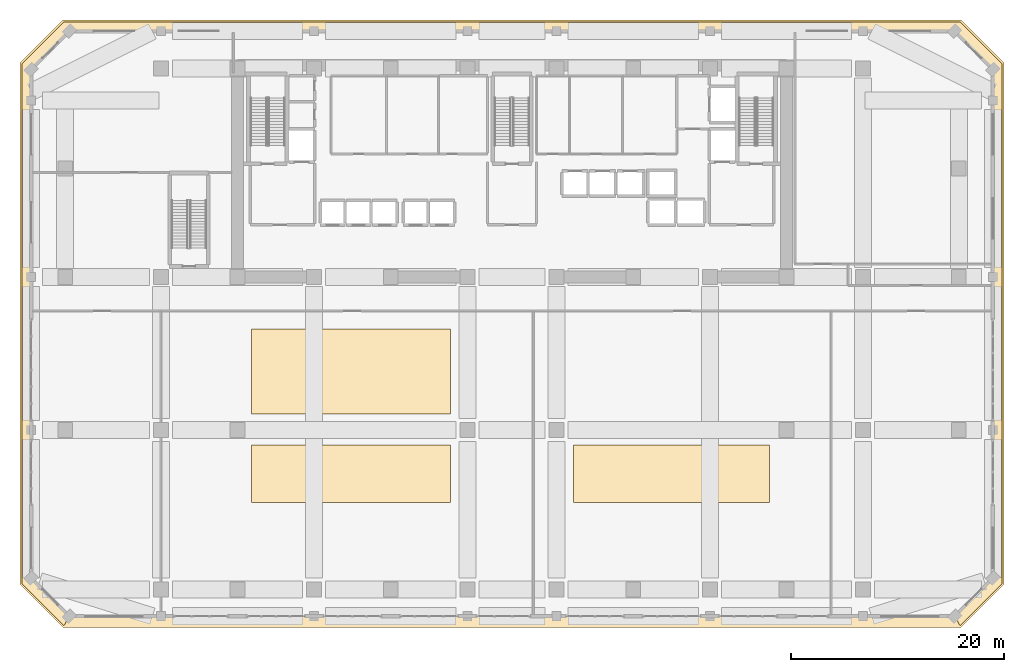
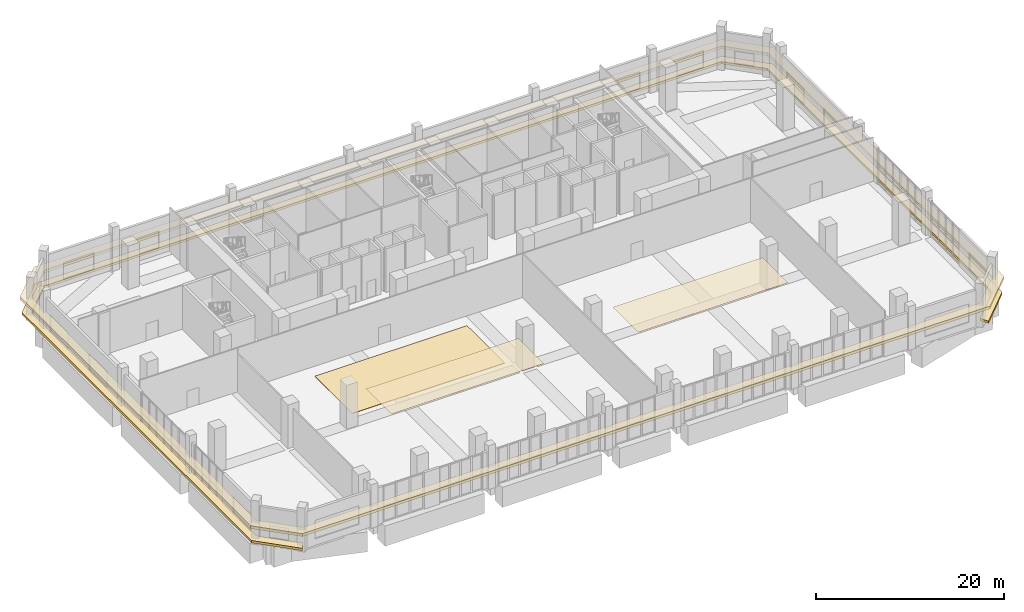
# One storey, part 23 of 25: 5 coverings.
"""IFC4 building model written with IfcOpenShell, lengths in metres."""

from ifc_helpers import new_model, si_unit, direction, frame, origin, place, context, subcontext, project, spatial, polyline, outline, extrude, material, layer, layer_set, type_object, element, save


model = new_model("IFC4")

# Units and contexts
model_context = context("Model", 3, precision=1e-05, world=origin(), true_north=direction((0.0, 1.0)))
body_context = subcontext(model_context, "Body", "Model", "MODEL_VIEW")
ifc_project = project(units=[si_unit("LENGTHUNIT", "METRE"), si_unit("AREAUNIT", "SQUARE_METRE"), si_unit("VOLUMEUNIT", "CUBIC_METRE"), si_unit("PLANEANGLEUNIT", "RADIAN"), si_unit("MASSUNIT", "GRAM", prefix="KILO")], contexts=[model_context])

# Site, building, storey
site_placement = place(None, origin())
site = spatial("IfcSite", under=ifc_project, at=site_placement, CompositionType="ELEMENT")
building_placement = place(site_placement, origin())
building = spatial("IfcBuilding", under=site, at=building_placement, Name="Kaelvorn Grand Hotel", CompositionType="ELEMENT")
storey_placement = place(building_placement, frame((0.0, 0.0, 8.0)))
storey = spatial("IfcBuildingStorey", under=building, at=storey_placement, Name="L01", CompositionType="ELEMENT", Elevation=8.0)

# Coverings
ifc_material_1 = material(Name="Precast concrete C45/55", Category="concrete")
ifc_layer_1 = layer(ifc_material_1, 0.260009765625)
ifc_layer_set_1 = layer_set([ifc_layer_1], Name="Precast concrete C45/55")
covering_type_1 = type_object("IfcCoveringType", Name="COV-BAND-STREAMLINE-HEAD", PredefinedType="CLADDING", material=ifc_layer_set_1)
covering_1_placement = place(storey_placement, frame((0.0, 0.0, 2.419921875)))
element("IfcCovering", 1, at=covering_1_placement, inside=storey, type_object=covering_type_1, Name="L01 Streamline Moderne Wraparound Horizontal Eyebrow Band", PredefinedType="CLADDING", context=body_context, shape_type="SweptSolid", body=[
    extrude(outline(polyline([(-0.2099609375, -3.550048828125), (84.2099609375, -3.550048828125), (88.25, 0.489990234375), (88.25, 49.510009765625), (84.2099609375, 53.550048828125), (-0.2099609375, 53.550048828125), (-4.25, 49.510009765625), (-4.25, 0.489990234375), (-0.2099609375, -3.550048828125)]), holes=[polyline([(0.419921875, -2.469970703125), (83.580078125, -2.469970703125), (87.169921875, 1.1201171875), (87.169921875, 48.8798828125), (83.580078125, 52.469970703125), (0.419921875, 52.469970703125), (-3.169921875, 48.8798828125), (-3.169921875, 1.1201171875), (0.419921875, -2.469970703125)])]), origin(), (0.0, 0.0, 1.0), 0.360107421875),
])
ifc_layer_2 = layer(ifc_material_1, 0.219970703125)
ifc_layer_set_2 = layer_set([ifc_layer_2], Name="Precast concrete C45/55")
covering_type_2 = type_object("IfcCoveringType", Name="COV-BAND-STREAMLINE-SILL", PredefinedType="CLADDING", material=ifc_layer_set_2)
covering_2_placement = place(storey_placement, frame((0.0, 0.0, 0.449951171875)))
element("IfcCovering", 2, at=covering_2_placement, inside=storey, type_object=covering_type_2, Name="L01 Streamline Moderne Wraparound Horizontal Sill Spandrel Band", PredefinedType="CLADDING", context=body_context, shape_type="SweptSolid", body=[
    extrude(outline(polyline([(84.115478515625, -3.3798828125), (88.080078125, 0.58447265625), (88.080078125, 49.41552734375), (84.115478515625, 53.3798828125), (-0.115478515625, 53.3798828125), (-4.080078125, 49.41552734375), (-4.080078125, 0.58447265625), (-0.115478515625, -3.3798828125), (0.41748046875, -2.469970703125), (-3.169921875, 1.11767578125), (-3.169921875, 48.88232421875), (0.41748046875, 52.469970703125), (83.58251953125, 52.469970703125), (87.169921875, 48.88232421875), (87.169921875, 1.11767578125), (83.58251953125, -2.469970703125), (84.115478515625, -3.3798828125)])), origin(), (0.0, 0.0, 1.0), 0.300048828125),
])
ifc_material_2 = material(Name="Acoustic Mineral Fibre Board")
ifc_layer_3 = layer(ifc_material_2, 0.02490234375)
ifc_layer_set_3 = layer_set([ifc_layer_3], Name="Acoustic Mineral Fibre Board")
covering_type_3 = type_object("IfcCoveringType", Name="COV-CEIL-ACOUSTIC-25", PredefinedType="CEILING", material=ifc_layer_set_3)
covering_3_placement = place(storey_placement, frame((0.0, 0.0, 4.972412109375)))
element("IfcCovering", 3, at=covering_3_placement, inside=storey, type_object=covering_type_3, Name="L01 Suspended Acoustic Ceiling Panel 1", PredefinedType="CEILING", context=body_context, shape_type="SweptSolid", body=[
    extrude(outline(polyline([(17.5, 8.199951171875), (36.199951171875, 8.199951171875), (36.199951171875, 13.60009765625), (17.5, 13.60009765625), (17.5, 8.199951171875)])), origin(), (0.0, 0.0, 1.0), 0.025146484375),
])
covering_4_placement = place(storey_placement, frame((0.0, 0.0, 4.972412109375)))
element("IfcCovering", 4, at=covering_4_placement, inside=storey, type_object=covering_type_3, Name="L01 Suspended Acoustic Ceiling Panel 2", PredefinedType="CEILING", context=body_context, shape_type="SweptSolid", body=[
    extrude(outline(polyline([(47.800048828125, 8.199951171875), (66.199951171875, 8.199951171875), (66.199951171875, 13.60009765625), (47.800048828125, 13.60009765625), (47.800048828125, 8.199951171875)])), origin(), (0.0, 0.0, 1.0), 0.025146484375),
])
ifc_material_3 = material(Name="Polished Terrazzo Stone Tile", Category="masonry")
ifc_layer_4 = layer(ifc_material_3, 0.0400390625)
ifc_layer_set_4 = layer_set([ifc_layer_4], Name="Polished Terrazzo Stone Tile")
covering_type_4 = type_object("IfcCoveringType", Name="COV-FLR-TERRAZZO-40", PredefinedType="FLOORING", material=ifc_layer_set_4)
covering_5_placement = place(storey_placement, origin())
element("IfcCovering", 5, at=covering_5_placement, inside=storey, type_object=covering_type_4, Name="L01 Terrazzo Concourse Floor Finish", PredefinedType="FLOORING", context=body_context, shape_type="SweptSolid", body=[
    extrude(outline(polyline([(17.5, 16.5), (36.199951171875, 16.5), (36.199951171875, 24.5), (17.5, 24.5), (17.5, 16.5)])), origin(), (0.0, 0.0, 1.0), 0.0400390625),
])

save(model, "model.ifc")
